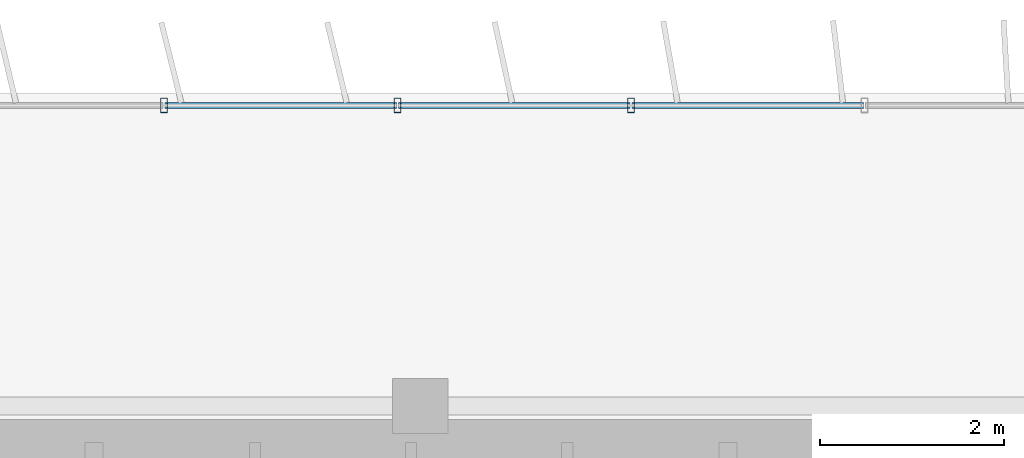
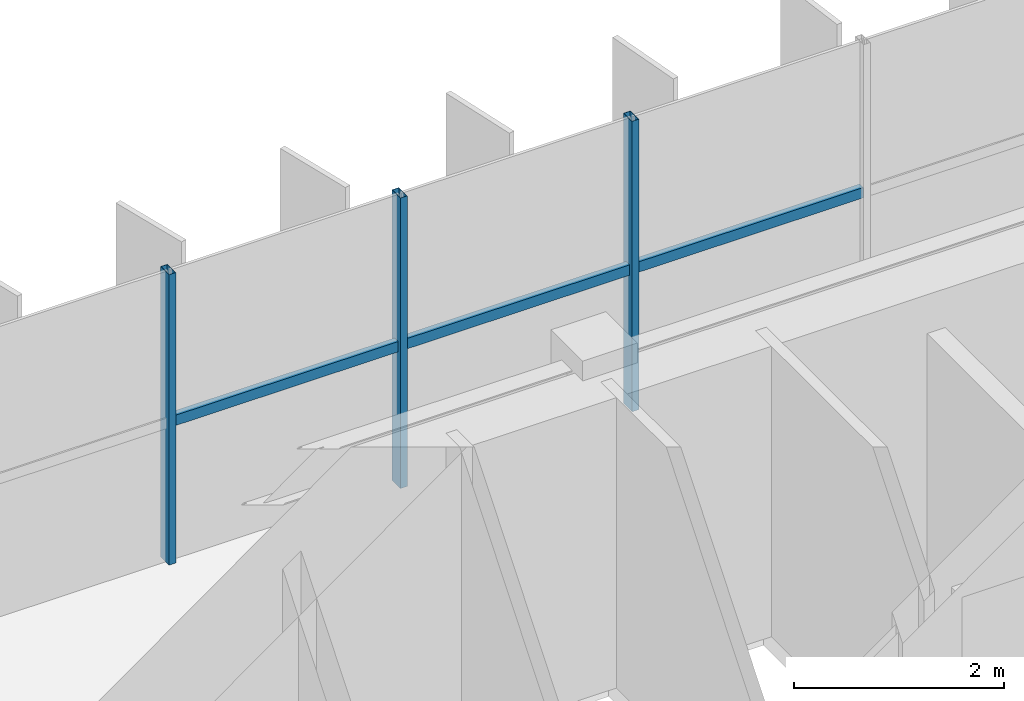
# One storey, part 11 of 21: 6 members, 1 element without a shape of its own.
"""IFC4 building model written with IfcOpenShell, lengths in metres."""

from ifc_helpers import new_model, si_unit, direction, frame, origin, origin_2d, place, context, subcontext, project, spatial, hollow_rectangle, extrude, source, transform, mapped, material, material_profile, profile_set, type_object, element, aggregate, save


model = new_model("IFC4")

# Units and contexts
model_context = context("Model", 3, precision=1e-05, world=origin(), true_north=direction((0.0, 1.0)))
body_context = subcontext(model_context, "Body", "Model", "MODEL_VIEW")
ifc_project = project(units=[si_unit("LENGTHUNIT", "METRE"), si_unit("AREAUNIT", "SQUARE_METRE"), si_unit("VOLUMEUNIT", "CUBIC_METRE"), si_unit("PLANEANGLEUNIT", "RADIAN"), si_unit("MASSUNIT", "GRAM", prefix="KILO")], contexts=[model_context])

# Site, building, storey
site_placement = place(None, origin())
site = spatial("IfcSite", under=ifc_project, at=site_placement, CompositionType="ELEMENT")
building_placement = place(site_placement, origin())
building = spatial("IfcBuilding", under=site, at=building_placement, Name="Trelvane Seafront Commons", CompositionType="ELEMENT")
storey_placement = place(building_placement, frame((0.0, 0.0, 255.89990234375)))
storey = spatial("IfcBuildingStorey", under=building, at=storey_placement, Name="L66", CompositionType="ELEMENT", Elevation=255.89990234375)

# Curtain wall, members
ifc_material = material(Name="Anodised pale-silver aluminium", Category="aluminium")
curtain_wall_type = type_object("IfcCurtainWallType", Name="ARCH-CW5-UPTOWER", PredefinedType="NOTDEFINED", material=ifc_material)
curtain_wall_placement = place(storey_placement, origin())
curtain_wall = element("IfcCurtainWall", 1, at=curtain_wall_placement, inside=storey, type_object=curtain_wall_type, Name="CW-L66-0110", PredefinedType="NOTDEFINED")
ifc_material_profile_1 = material_profile(ifc_material, hollow_rectangle(XDim=0.070068359375, YDim=0.1201171875, WallThickness=0.00390625, at=origin_2d()), Name="TRAN-70x120x4")
ifc_profile_set_1 = profile_set([ifc_material_profile_1], Name="Anodised pale-silver aluminium")
member_type_1 = type_object("IfcMemberType", Name="ARCH-CW-TRAN-120", PredefinedType="USERDEFINED", material=ifc_profile_set_1)
shared_shape_1 = source(origin(), body_context, "Body", "SweptSolid", [
    extrude(hollow_rectangle(XDim=0.070068359375, YDim=0.1201171875, WallThickness=0.00390625, at=origin_2d()), origin(), (0.0, 0.0, 1.0), 2.51708984375),
])
member_1_placement = place(storey_placement, frame((43.56494140625, 48.3701171875, 1.6181640625), z_axis=(1.0, 0.0, 0.0), x_axis=(0.0, 1.0, 0.0)))
member_1 = element("IfcMember", 2, at=member_1_placement, type_object=member_type_1, Name="CW-L66-0110-T11", ObjectType="TRANSOM", PredefinedType="USERDEFINED", context=body_context, shape_type="MappedRepresentation", body=[
    mapped(shared_shape_1, transform((0.0, 0.0, 0.0), x_axis=(1.0, 0.0, 0.0), y_axis=(0.0, 1.0, 0.0), z_axis=(0.0, 0.0, 1.0), scale=1.0)),
])
member_2_placement = place(storey_placement, frame((46.106201171875, 48.3701171875, 1.6181640625), z_axis=(1.0, 0.0, 0.0), x_axis=(0.0, 1.0, 0.0)))
member_2 = element("IfcMember", 3, at=member_2_placement, type_object=member_type_1, Name="CW-L66-0110-T12", ObjectType="TRANSOM", PredefinedType="USERDEFINED", context=body_context, shape_type="MappedRepresentation", body=[
    mapped(shared_shape_1, transform((0.0, 0.0, 0.0), x_axis=(1.0, 0.0, 0.0), y_axis=(0.0, 1.0, 0.0), z_axis=(0.0, 0.0, 1.0), scale=1.0)),
])
shared_shape_2 = source(origin(), body_context, "Body", "SweptSolid", [
    extrude(hollow_rectangle(XDim=0.070068359375, YDim=0.1201171875, WallThickness=0.00390625, at=origin_2d()), origin(), (0.0, 0.0, 1.0), 2.517333984375),
])
member_3_placement = place(storey_placement, frame((41.023681640625, 48.3701171875, 1.6181640625), z_axis=(1.0, 0.0, 0.0), x_axis=(0.0, 1.0, 0.0)))
member_3 = element("IfcMember", 4, at=member_3_placement, type_object=member_type_1, Name="CW-L66-0110-T10", ObjectType="TRANSOM", PredefinedType="USERDEFINED", context=body_context, shape_type="MappedRepresentation", body=[
    mapped(shared_shape_2, transform((0.0, 0.0, 0.0), x_axis=(1.0, 0.0, 0.0), y_axis=(0.0, 1.0, 0.0), z_axis=(0.0, 0.0, 1.0), scale=1.0)),
])
ifc_material_profile_2 = material_profile(ifc_material, hollow_rectangle(XDim=0.074951171875, YDim=0.159912109375, WallThickness=0.00390625, at=origin_2d()), Name="MULL-75x160x4")
ifc_profile_set_2 = profile_set([ifc_material_profile_2], Name="Anodised pale-silver aluminium")
member_type_2 = type_object("IfcMemberType", Name="ARCH-CW-MULL-160", PredefinedType="MULLION", material=ifc_profile_set_2)
shared_shape_3 = source(origin(), body_context, "Body", "SweptSolid", [
    extrude(hollow_rectangle(XDim=0.074951171875, YDim=0.159912109375, WallThickness=0.00390625, at=origin_2d()), origin(), (0.0, 0.0, 1.0), 3.3701171875),
])
member_4_placement = place(storey_placement, frame((41.01171875, 48.3701171875, 0.0), z_axis=(0.0, 0.0, 1.0), x_axis=(1.0, 0.0, 0.0)))
member_4 = element("IfcMember", 5, at=member_4_placement, type_object=member_type_2, Name="CW-L66-0110-M10", PredefinedType="MULLION", context=body_context, shape_type="MappedRepresentation", body=[
    mapped(shared_shape_3, transform((0.0, 0.0, 0.0), x_axis=(1.0, 0.0, 0.0), y_axis=(0.0, 1.0, 0.0), z_axis=(0.0, 0.0, 1.0), scale=1.0)),
])
member_5_placement = place(storey_placement, frame((43.552978515625, 48.3701171875, 0.0), z_axis=(0.0, 0.0, 1.0), x_axis=(1.0, 0.0, 0.0)))
member_5 = element("IfcMember", 6, at=member_5_placement, type_object=member_type_2, Name="CW-L66-0110-M11", PredefinedType="MULLION", context=body_context, shape_type="MappedRepresentation", body=[
    mapped(shared_shape_3, transform((0.0, 0.0, 0.0), x_axis=(1.0, 0.0, 0.0), y_axis=(0.0, 1.0, 0.0), z_axis=(0.0, 0.0, 1.0), scale=1.0)),
])
member_6_placement = place(storey_placement, frame((46.093994140625, 48.3701171875, 0.0), z_axis=(0.0, 0.0, 1.0), x_axis=(1.0, 0.0, 0.0)))
member_6 = element("IfcMember", 7, at=member_6_placement, type_object=member_type_2, Name="CW-L66-0110-M12", PredefinedType="MULLION", context=body_context, shape_type="MappedRepresentation", body=[
    mapped(shared_shape_3, transform((0.0, 0.0, 0.0), x_axis=(1.0, 0.0, 0.0), y_axis=(0.0, 1.0, 0.0), z_axis=(0.0, 0.0, 1.0), scale=1.0)),
])
aggregate(curtain_wall, [member_4, member_5, member_6, member_3, member_1, member_2])

save(model, "model.ifc")
